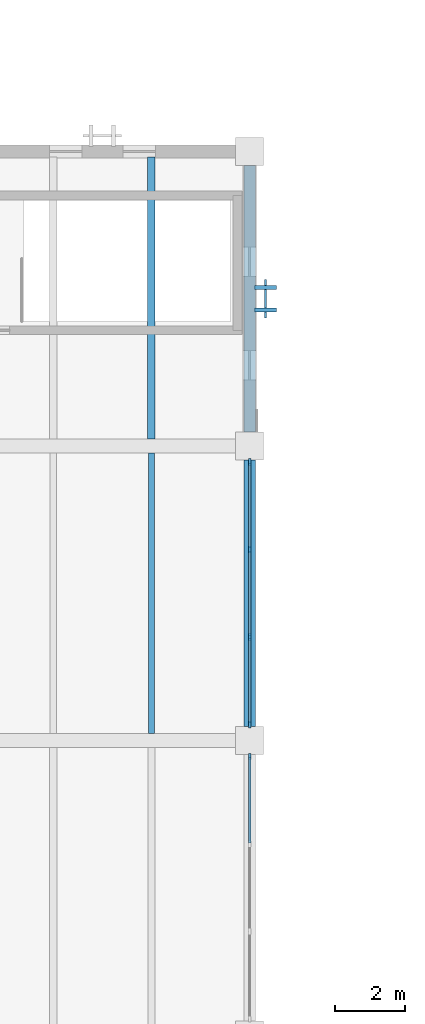
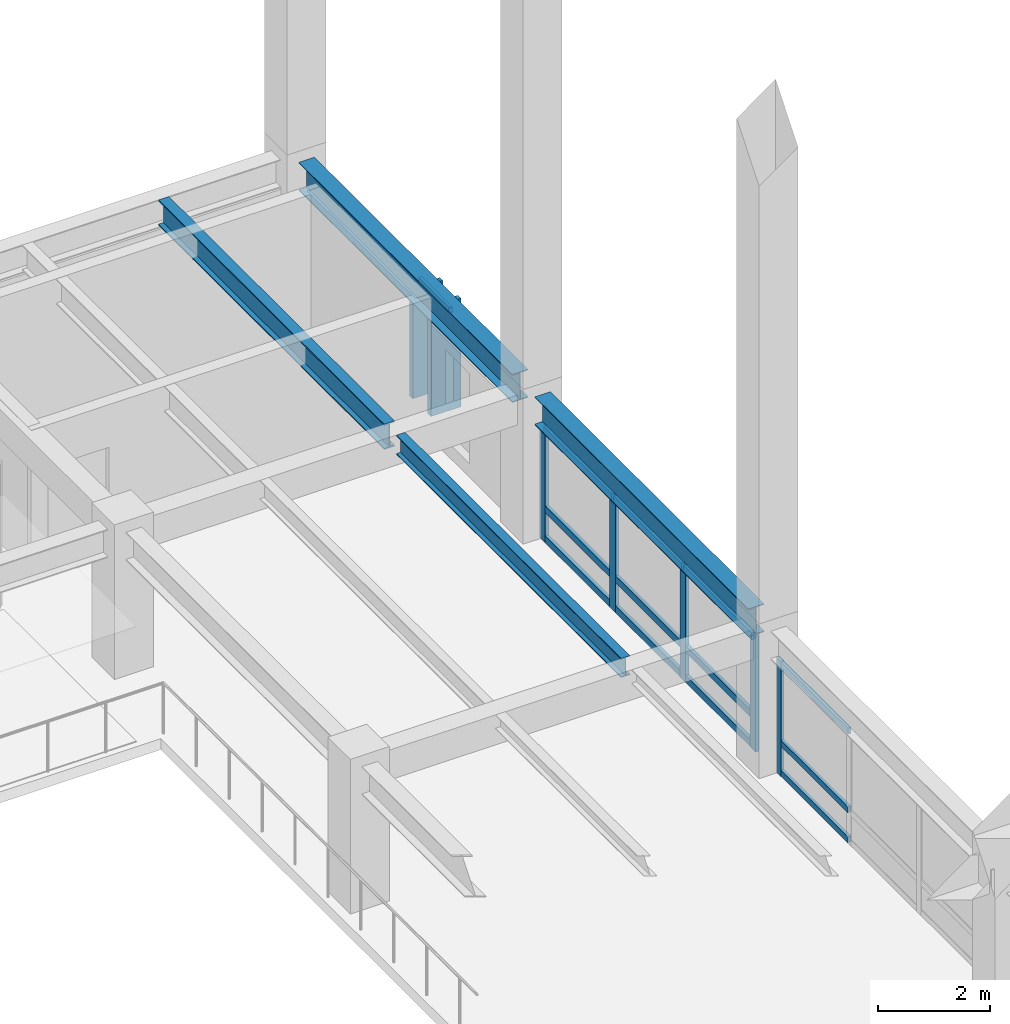
# One storey, part 9 of 64: 20 members, 4 beams, 3 elements without a shape of their own.
"""IFC4 building model written with IfcOpenShell, lengths in metres."""

from ifc_helpers import new_model, si_unit, direction, frame, origin, origin_2d, place, context, subcontext, project, spatial, rectangle, i_section, extrude, material, material_profile, profile_set, type_object, element, aggregate, save


model = new_model("IFC4")

# Units and contexts
model_context = context("Model", 3, precision=1e-05, world=origin(), true_north=direction((0.0, 1.0)))
body_context = subcontext(model_context, "Body", "Model", "MODEL_VIEW")
ifc_project = project(units=[si_unit("LENGTHUNIT", "METRE"), si_unit("AREAUNIT", "SQUARE_METRE"), si_unit("VOLUMEUNIT", "CUBIC_METRE"), si_unit("PLANEANGLEUNIT", "RADIAN"), si_unit("MASSUNIT", "GRAM", prefix="KILO")], contexts=[model_context])

# Site, building, storey
site_placement = place(None, origin())
site = spatial("IfcSite", under=ifc_project, at=site_placement, CompositionType="ELEMENT")
building_placement = place(site_placement, origin())
building = spatial("IfcBuilding", under=site, at=building_placement, Name="Cumbredor Promenade Congress Hotel", CompositionType="ELEMENT")
storey_placement = place(building_placement, frame((0.0, 0.0, 18.47998046875)))
storey = spatial("IfcBuildingStorey", under=building, at=storey_placement, Name="L05", CompositionType="ELEMENT", Elevation=18.47998046875)

# Curtain wall, member
ifc_material_1 = material(Name="Thermally broken anodized aluminium and low-E glass", Category="aluminium")
curtain_wall_type_1 = type_object("IfcCurtainWallType", Name="Unitised Bronze Curtain Wall CW-01", PredefinedType="NOTDEFINED", material=ifc_material_1)
curtain_wall_1_placement = place(storey_placement, origin())
curtain_wall_1 = element("IfcCurtainWall", 1, at=curtain_wall_1_placement, inside=storey, type_object=curtain_wall_type_1, Name="L05 Plenary Congress Hall East Curtain Wall 5", PredefinedType="NOTDEFINED")
ifc_material_2 = material(Name="Thermally broken anodized aluminium", Category="aluminium")
ifc_material_profile_1 = material_profile(ifc_material_2, rectangle(XDim=0.06494140625, YDim=0.159912109375, at=origin_2d()), Name="ALU MULLION 65x160")
ifc_profile_set_1 = profile_set([ifc_material_profile_1], Name="Thermally broken anodized aluminium")
member_type_1 = type_object("IfcMemberType", Name="Curtain Wall Mullion ML-01", PredefinedType="MULLION", material=ifc_profile_set_1)
member_1_placement = place(storey_placement, frame((67.199951171875, 49.945068359375, -0.008056640625), z_axis=(0.0, 0.0, 1.0), x_axis=(1.0, 0.0, 0.0)))
member_1 = element("IfcMember", 2, at=member_1_placement, type_object=member_type_1, Name="L05 Plenary Congress Hall East Curtain Wall 5 Mullion 4", PredefinedType="MULLION", context=body_context, shape_type="SweptSolid", body=[
    extrude(rectangle(XDim=0.06494140625, YDim=0.159912109375, at=origin_2d()), origin(), (0.0, 0.0, 1.0), 2.510009765625),
])

# Curtain wall, members
curtain_wall_2_placement = place(storey_placement, origin())
curtain_wall_2 = element("IfcCurtainWall", 3, at=curtain_wall_2_placement, inside=storey, type_object=curtain_wall_type_1, Name="L05 Plenary Congress Hall East Curtain Wall 6", PredefinedType="NOTDEFINED")
ifc_material_profile_2 = material_profile(ifc_material_2, rectangle(XDim=0.074951171875, YDim=0.199951171875, at=origin_2d()), Name="ALU MULLION 75x200")
ifc_profile_set_2 = profile_set([ifc_material_profile_2], Name="Thermally broken anodized aluminium")
member_type_2 = type_object("IfcMemberType", Name="Curtain Wall Mullion ML-02", PredefinedType="MULLION", material=ifc_profile_set_2)
member_2_placement = place(storey_placement, frame((67.199951171875, 50.85498046875, -0.008056640625), z_axis=(0.0, 0.0, 1.0), x_axis=(1.0, 0.0, 0.0)))
member_2 = element("IfcMember", 4, at=member_2_placement, type_object=member_type_2, Name="L05 Plenary Congress Hall East Curtain Wall 6 Mullion 1", PredefinedType="MULLION", context=body_context, shape_type="SweptSolid", body=[
    extrude(rectangle(XDim=0.074951171875, YDim=0.199951171875, at=origin_2d()), origin(), (0.0, 0.0, 1.0), 2.510009765625),
])
member_3_placement = place(storey_placement, frame((67.199951171875, 53.351806640625, -0.008056640625), z_axis=(0.0, 0.0, 1.0), x_axis=(1.0, 0.0, 0.0)))
member_3 = element("IfcMember", 5, at=member_3_placement, type_object=member_type_2, Name="L05 Plenary Congress Hall East Curtain Wall 6 Mullion 2", PredefinedType="MULLION", context=body_context, shape_type="SweptSolid", body=[
    extrude(rectangle(XDim=0.074951171875, YDim=0.199951171875, at=origin_2d()), origin(), (0.0, 0.0, 1.0), 2.510009765625),
])
member_4_placement = place(storey_placement, frame((67.199951171875, 55.848388671875, -0.008056640625), z_axis=(0.0, 0.0, 1.0), x_axis=(1.0, 0.0, 0.0)))
member_4 = element("IfcMember", 6, at=member_4_placement, type_object=member_type_2, Name="L05 Plenary Congress Hall East Curtain Wall 6 Mullion 3", PredefinedType="MULLION", context=body_context, shape_type="SweptSolid", body=[
    extrude(rectangle(XDim=0.074951171875, YDim=0.199951171875, at=origin_2d()), origin(), (0.0, 0.0, 1.0), 2.510009765625),
])
member_5_placement = place(storey_placement, frame((67.199951171875, 58.344970703125, -0.008056640625), z_axis=(0.0, 0.0, 1.0), x_axis=(1.0, 0.0, 0.0)))
member_5 = element("IfcMember", 7, at=member_5_placement, type_object=member_type_2, Name="L05 Plenary Congress Hall East Curtain Wall 6 Mullion 4", PredefinedType="MULLION", context=body_context, shape_type="SweptSolid", body=[
    extrude(rectangle(XDim=0.074951171875, YDim=0.199951171875, at=origin_2d()), origin(), (0.0, 0.0, 1.0), 2.510009765625),
])

# Member
ifc_material_profile_3 = material_profile(ifc_material_2, rectangle(XDim=0.06494140625, YDim=0.1298828125, at=origin_2d()), Name="ALU TRANSOM 65x130")
ifc_profile_set_3 = profile_set([ifc_material_profile_3], Name="Thermally broken anodized aluminium")
member_type_3 = type_object("IfcMemberType", Name="Curtain Wall Transom TR-01", PredefinedType="USERDEFINED", material=ifc_profile_set_3)
member_6_placement = place(storey_placement, frame((67.199951171875, 47.480712890625, 0.070068359375), z_axis=(0.0, 1.0, 0.0), x_axis=(-1.0, 0.0, 0.0)))
member_6 = element("IfcMember", 8, at=member_6_placement, type_object=member_type_3, Name="L05 Plenary Congress Hall East Curtain Wall 5 Transom 3.1", ObjectType="TRANSOM", PredefinedType="USERDEFINED", context=body_context, shape_type="SweptSolid", body=[
    extrude(rectangle(XDim=0.06494140625, YDim=0.1298828125, at=origin_2d()), origin(), (0.0, 0.0, 1.0), 2.431884765625),
])

member_7_placement = place(storey_placement, frame((67.199951171875, 47.480712890625, 0.719970703125), z_axis=(0.0, 1.0, 0.0), x_axis=(-1.0, 0.0, 0.0)))
member_7 = element("IfcMember", 9, at=member_7_placement, type_object=member_type_3, Name="L05 Plenary Congress Hall East Curtain Wall 5 Transom 3.2", ObjectType="TRANSOM", PredefinedType="USERDEFINED", context=body_context, shape_type="SweptSolid", body=[
    extrude(rectangle(XDim=0.06494140625, YDim=0.1298828125, at=origin_2d()), origin(), (0.0, 0.0, 1.0), 2.431884765625),
])

member_8_placement = place(storey_placement, frame((67.199951171875, 47.480712890625, 2.429931640625), z_axis=(0.0, 1.0, 0.0), x_axis=(-1.0, 0.0, 0.0)))
member_8 = element("IfcMember", 10, at=member_8_placement, type_object=member_type_3, Name="L05 Plenary Congress Hall East Curtain Wall 5 Transom 3.3", ObjectType="TRANSOM", PredefinedType="USERDEFINED", context=body_context, shape_type="SweptSolid", body=[
    extrude(rectangle(XDim=0.06494140625, YDim=0.1298828125, at=origin_2d()), origin(), (0.0, 0.0, 1.0), 2.431884765625),
])

aggregate(curtain_wall_1, [member_1, member_6, member_7, member_8])

# Curtain wall, member
curtain_wall_type_2 = type_object("IfcCurtainWallType", Name="Solar Brise-Soleil Screen Assembly CW-07", PredefinedType="NOTDEFINED", material=ifc_material_1)
curtain_wall_3_placement = place(storey_placement, origin())
curtain_wall_3 = element("IfcCurtainWall", 11, at=curtain_wall_3_placement, inside=storey, type_object=curtain_wall_type_2, Name="L05 Pier Brise-Soleil Screen 0844", PredefinedType="NOTDEFINED")
member_9_placement = place(storey_placement, frame((67.64990234375, 62.449951171875, 2.333984375), z_axis=(0.0, 1.0, 0.0), x_axis=(-1.0, 0.0, 0.0)))
member_9 = element("IfcMember", 12, at=member_9_placement, type_object=member_type_3, Name="L05 Pier Brise-Soleil Header 0846", ObjectType="TRANSOM", PredefinedType="USERDEFINED", context=body_context, shape_type="SweptSolid", body=[
    extrude(rectangle(XDim=0.06494140625, YDim=0.1298828125, at=origin_2d()), origin(), (0.0, 0.0, 1.0), 1.10009765625),
])

# Member
ifc_material_profile_4 = material_profile(ifc_material_2, rectangle(XDim=0.074951171875, YDim=0.14990234375, at=origin_2d()), Name="ALU TRANSOM 75x150")
ifc_profile_set_4 = profile_set([ifc_material_profile_4], Name="Thermally broken anodized aluminium")
member_type_4 = type_object("IfcMemberType", Name="Curtain Wall Transom TR-02", PredefinedType="USERDEFINED", material=ifc_profile_set_4)
member_10_placement = place(storey_placement, frame((67.199951171875, 50.892578125, 0.070068359375), z_axis=(0.0, 1.0, 0.0), x_axis=(-1.0, 0.0, 0.0)))
member_10 = element("IfcMember", 13, at=member_10_placement, type_object=member_type_4, Name="L05 Plenary Congress Hall East Curtain Wall 6 Transom 1.1", ObjectType="TRANSOM", PredefinedType="USERDEFINED", context=body_context, shape_type="SweptSolid", body=[
    extrude(rectangle(XDim=0.074951171875, YDim=0.14990234375, at=origin_2d()), origin(), (0.0, 0.0, 1.0), 2.421630859375),
])

member_11_placement = place(storey_placement, frame((67.199951171875, 50.892578125, 0.719970703125), z_axis=(0.0, 1.0, 0.0), x_axis=(-1.0, 0.0, 0.0)))
member_11 = element("IfcMember", 14, at=member_11_placement, type_object=member_type_4, Name="L05 Plenary Congress Hall East Curtain Wall 6 Transom 1.2", ObjectType="TRANSOM", PredefinedType="USERDEFINED", context=body_context, shape_type="SweptSolid", body=[
    extrude(rectangle(XDim=0.074951171875, YDim=0.14990234375, at=origin_2d()), origin(), (0.0, 0.0, 1.0), 2.421630859375),
])

member_12_placement = place(storey_placement, frame((67.199951171875, 50.892578125, 2.419921875), z_axis=(0.0, 1.0, 0.0), x_axis=(-1.0, 0.0, 0.0)))
member_12 = element("IfcMember", 15, at=member_12_placement, type_object=member_type_4, Name="L05 Plenary Congress Hall East Curtain Wall 6 Transom 1.3", ObjectType="TRANSOM", PredefinedType="USERDEFINED", context=body_context, shape_type="SweptSolid", body=[
    extrude(rectangle(XDim=0.074951171875, YDim=0.14990234375, at=origin_2d()), origin(), (0.0, 0.0, 1.0), 2.421630859375),
])

member_13_placement = place(storey_placement, frame((67.199951171875, 53.38916015625, 0.070068359375), z_axis=(0.0, 1.0, 0.0), x_axis=(-1.0, 0.0, 0.0)))
member_13 = element("IfcMember", 16, at=member_13_placement, type_object=member_type_4, Name="L05 Plenary Congress Hall East Curtain Wall 6 Transom 2.1", ObjectType="TRANSOM", PredefinedType="USERDEFINED", context=body_context, shape_type="SweptSolid", body=[
    extrude(rectangle(XDim=0.074951171875, YDim=0.14990234375, at=origin_2d()), origin(), (0.0, 0.0, 1.0), 2.421630859375),
])

member_14_placement = place(storey_placement, frame((67.199951171875, 53.38916015625, 0.719970703125), z_axis=(0.0, 1.0, 0.0), x_axis=(-1.0, 0.0, 0.0)))
member_14 = element("IfcMember", 17, at=member_14_placement, type_object=member_type_4, Name="L05 Plenary Congress Hall East Curtain Wall 6 Transom 2.2", ObjectType="TRANSOM", PredefinedType="USERDEFINED", context=body_context, shape_type="SweptSolid", body=[
    extrude(rectangle(XDim=0.074951171875, YDim=0.14990234375, at=origin_2d()), origin(), (0.0, 0.0, 1.0), 2.421630859375),
])

member_15_placement = place(storey_placement, frame((67.199951171875, 53.38916015625, 2.419921875), z_axis=(0.0, 1.0, 0.0), x_axis=(-1.0, 0.0, 0.0)))
member_15 = element("IfcMember", 18, at=member_15_placement, type_object=member_type_4, Name="L05 Plenary Congress Hall East Curtain Wall 6 Transom 2.3", ObjectType="TRANSOM", PredefinedType="USERDEFINED", context=body_context, shape_type="SweptSolid", body=[
    extrude(rectangle(XDim=0.074951171875, YDim=0.14990234375, at=origin_2d()), origin(), (0.0, 0.0, 1.0), 2.421630859375),
])

member_16_placement = place(storey_placement, frame((67.199951171875, 55.8857421875, 0.070068359375), z_axis=(0.0, 1.0, 0.0), x_axis=(-1.0, 0.0, 0.0)))
member_16 = element("IfcMember", 19, at=member_16_placement, type_object=member_type_4, Name="L05 Plenary Congress Hall East Curtain Wall 6 Transom 3.1", ObjectType="TRANSOM", PredefinedType="USERDEFINED", context=body_context, shape_type="SweptSolid", body=[
    extrude(rectangle(XDim=0.074951171875, YDim=0.14990234375, at=origin_2d()), origin(), (0.0, 0.0, 1.0), 2.421875),
])

member_17_placement = place(storey_placement, frame((67.199951171875, 55.8857421875, 0.719970703125), z_axis=(0.0, 1.0, 0.0), x_axis=(-1.0, 0.0, 0.0)))
member_17 = element("IfcMember", 20, at=member_17_placement, type_object=member_type_4, Name="L05 Plenary Congress Hall East Curtain Wall 6 Transom 3.2", ObjectType="TRANSOM", PredefinedType="USERDEFINED", context=body_context, shape_type="SweptSolid", body=[
    extrude(rectangle(XDim=0.074951171875, YDim=0.14990234375, at=origin_2d()), origin(), (0.0, 0.0, 1.0), 2.421875),
])

member_18_placement = place(storey_placement, frame((67.199951171875, 55.8857421875, 2.419921875), z_axis=(0.0, 1.0, 0.0), x_axis=(-1.0, 0.0, 0.0)))
member_18 = element("IfcMember", 21, at=member_18_placement, type_object=member_type_4, Name="L05 Plenary Congress Hall East Curtain Wall 6 Transom 3.3", ObjectType="TRANSOM", PredefinedType="USERDEFINED", context=body_context, shape_type="SweptSolid", body=[
    extrude(rectangle(XDim=0.074951171875, YDim=0.14990234375, at=origin_2d()), origin(), (0.0, 0.0, 1.0), 2.421875),
])

aggregate(curtain_wall_2, [member_2, member_3, member_4, member_5, member_10, member_11, member_12, member_13, member_14, member_15, member_16, member_17, member_18])

# Beams
ifc_material_3 = material(Name="Steel ASTM A992 Grade 50", Category="steel")
ifc_material_profile_5 = material_profile(ifc_material_3, i_section(OverallWidth=0.180908203125, OverallDepth=0.4169921875, WebThickness=0.010986328125, FlangeThickness=0.018310546875, at=origin_2d()), Name="W16X57")
ifc_profile_set_5 = profile_set([ifc_material_profile_5], Name="Steel ASTM A992 Grade 50")
beam_type_1 = type_object("IfcBeamType", Name="JST-W16X57", PredefinedType="JOIST", material=ifc_profile_set_5)
beam_1_placement = place(storey_placement, frame((64.39990234375, 50.60009765625, 2.91162109375), z_axis=(0.0, 1.0, 0.0), x_axis=(-1.0, 0.0, 0.0)))
element("IfcBeam", 22, at=beam_1_placement, inside=storey, type_object=beam_type_1, Name="L06 Secondary Floor Joist 0066", PredefinedType="JOIST", context=body_context, shape_type="SweptSolid", body=[
    extrude(i_section(OverallWidth=0.180908203125, OverallDepth=0.4169921875, WebThickness=0.010986328125, FlangeThickness=0.018310546875, at=origin_2d()), origin(), (0.0, 0.0, 1.0), 8.0),
])
ifc_material_profile_6 = material_profile(ifc_material_3, i_section(OverallWidth=0.214111328125, OverallDepth=0.549072265625, WebThickness=0.0146484375, FlangeThickness=0.023681640625, at=origin_2d()), Name="W21X93")
ifc_profile_set_6 = profile_set([ifc_material_profile_6], Name="Steel ASTM A992 Grade 50")
beam_type_2 = type_object("IfcBeamType", Name="JST-W21X93", PredefinedType="JOIST", material=ifc_profile_set_6)
beam_2_placement = place(storey_placement, frame((64.39990234375, 59.0, 2.845458984375), z_axis=(0.0, 1.0, 0.0), x_axis=(-1.0, 0.0, 0.0)))
element("IfcBeam", 23, at=beam_2_placement, inside=storey, type_object=beam_type_2, Name="L06 Secondary Floor Joist 0068", PredefinedType="JOIST", context=body_context, shape_type="SweptSolid", body=[
    extrude(i_section(OverallWidth=0.214111328125, OverallDepth=0.549072265625, WebThickness=0.0146484375, FlangeThickness=0.023681640625, at=origin_2d()), origin(), (0.0, 0.0, 1.0), 8.0380859375),
])
ifc_material_profile_7 = material_profile(ifc_material_3, i_section(OverallWidth=0.323974609375, OverallDepth=0.611083984375, WebThickness=0.0126953125, FlangeThickness=0.01904296875, at=origin_2d()), Name="W24X104")
ifc_profile_set_7 = profile_set([ifc_material_profile_7], Name="Steel ASTM A992 Grade 50")
beam_type_3 = type_object("IfcBeamType", Name="SP-W24X104", PredefinedType="SPANDREL", material=ifc_profile_set_7)
beam_3_placement = place(storey_placement, frame((67.199951171875, 50.800048828125, 2.814453125), z_axis=(0.0, 1.0, 0.0), x_axis=(-1.0, 0.0, 0.0)))
element("IfcBeam", 24, at=beam_3_placement, inside=storey, type_object=beam_type_3, Name="L06 Y-Grid Beam 118", PredefinedType="SPANDREL", context=body_context, shape_type="SweptSolid", body=[
    extrude(i_section(OverallWidth=0.323974609375, OverallDepth=0.611083984375, WebThickness=0.0126953125, FlangeThickness=0.01904296875, at=origin_2d()), origin(), (0.0, 0.0, 1.0), 7.599853515625),
])
beam_4_placement = place(storey_placement, frame((67.199951171875, 59.199951171875, 2.814453125), z_axis=(0.0, 1.0, 0.0), x_axis=(-1.0, 0.0, 0.0)))
element("IfcBeam", 25, at=beam_4_placement, inside=storey, type_object=beam_type_3, Name="L06 Y-Grid Beam 119", PredefinedType="SPANDREL", context=body_context, shape_type="SweptSolid", body=[
    extrude(i_section(OverallWidth=0.323974609375, OverallDepth=0.611083984375, WebThickness=0.0126953125, FlangeThickness=0.01904296875, at=origin_2d()), origin(), (0.0, 0.0, 1.0), 7.60009765625),
])

# Member
ifc_material_profile_8 = material_profile(ifc_material_2, rectangle(XDim=0.110107421875, YDim=0.6201171875, at=origin_2d()), Name="ARCH FIN 110x620")
ifc_profile_set_8 = profile_set([ifc_material_profile_8], Name="Thermally broken anodized aluminium")
member_type_5 = type_object("IfcMemberType", Name="Vertical Bronze Brise-Soleil Fin BSF-02 110x620", PredefinedType="USERDEFINED", material=ifc_profile_set_8)
member_19_placement = place(storey_placement, frame((67.64990234375, 62.679931640625, 0.02001953125), z_axis=(0.0, 0.0, 1.0), x_axis=(0.0, 1.0, 0.0)))
member_19 = element("IfcMember", 26, at=member_19_placement, type_object=member_type_5, Name="L05 Pier Brise-Soleil Fin 0845", ObjectType="SOLAR FIN", PredefinedType="USERDEFINED", context=body_context, shape_type="SweptSolid", body=[
    extrude(rectangle(XDim=0.110107421875, YDim=0.6201171875, at=origin_2d()), origin(), (0.0, 0.0, 1.0), 2.35400390625),
])

member_20_placement = place(storey_placement, frame((67.64990234375, 63.320068359375, 0.02001953125), z_axis=(0.0, 0.0, 1.0), x_axis=(0.0, 1.0, 0.0)))
member_20 = element("IfcMember", 27, at=member_20_placement, type_object=member_type_5, Name="L05 Pier Brise-Soleil Fin 0846", ObjectType="SOLAR FIN", PredefinedType="USERDEFINED", context=body_context, shape_type="SweptSolid", body=[
    extrude(rectangle(XDim=0.110107421875, YDim=0.6201171875, at=origin_2d()), origin(), (0.0, 0.0, 1.0), 2.35400390625),
])

aggregate(curtain_wall_3, [member_19, member_20, member_9])

save(model, "model.ifc")
